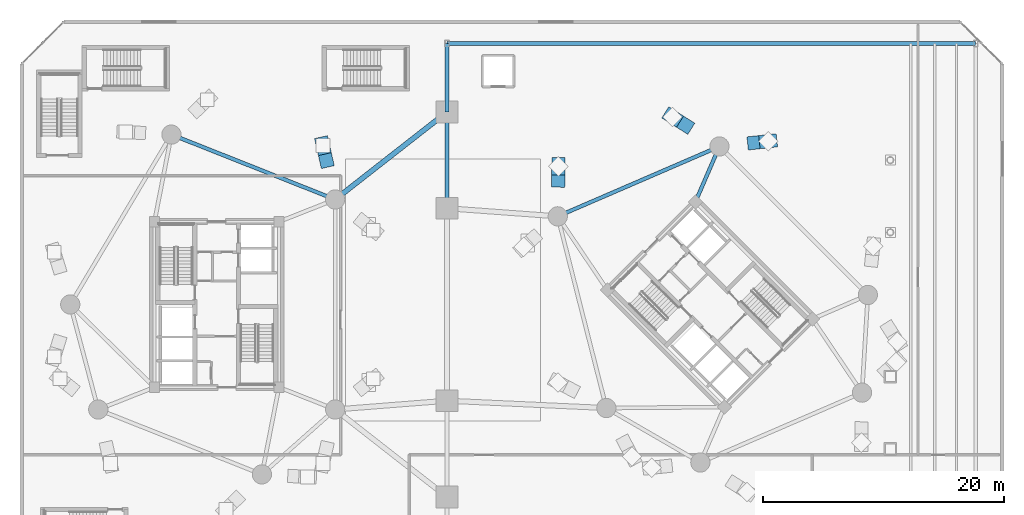
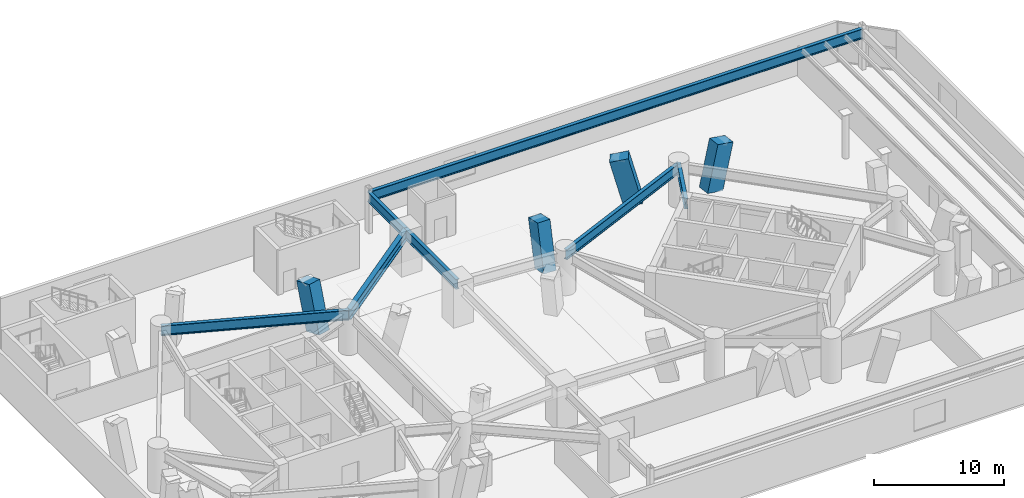
# One storey, part 6 of 20: 7 beams, 4 members.
"""IFC4 building model written with IfcOpenShell, lengths in metres."""

from ifc_helpers import new_model, si_unit, direction, frame, origin, origin_2d, place, context, subcontext, project, spatial, rectangle, i_section, extrude, material, material_profile, profile_set, type_object, element, save


model = new_model("IFC4")

# Units and contexts
model_context = context("Model", 3, precision=1e-05, world=origin(), true_north=direction((0.0, 1.0)))
body_context = subcontext(model_context, "Body", "Model", "MODEL_VIEW")
ifc_project = project(units=[si_unit("LENGTHUNIT", "METRE"), si_unit("AREAUNIT", "SQUARE_METRE"), si_unit("VOLUMEUNIT", "CUBIC_METRE"), si_unit("PLANEANGLEUNIT", "RADIAN"), si_unit("MASSUNIT", "GRAM", prefix="KILO")], contexts=[model_context])

# Site, building, storey
site_placement = place(None, origin())
site = spatial("IfcSite", under=ifc_project, at=site_placement, CompositionType="ELEMENT")
building_placement = place(site_placement, origin())
building = spatial("IfcBuilding", under=site, at=building_placement, Name="Cununo Teusaquillo Station Towers", CompositionType="ELEMENT")
storey_placement = place(building_placement, frame((0.0, 0.0, 13.199951171875)))
storey = spatial("IfcBuildingStorey", under=building, at=storey_placement, Name="L03", CompositionType="ELEMENT", Elevation=13.199951171875)

# Beams
ifc_material_1 = material(Name="Steel ASTM A572 Grade 50", Category="steel")
ifc_material_profile_1 = material_profile(ifc_material_1, i_section(OverallWidth=0.30810546875, OverallDepth=0.943115234375, WebThickness=0.022216796875, FlangeThickness=0.039794921875, FilletRadius=0.02392578125, at=origin_2d()), Name="W36X232")
ifc_profile_set_1 = profile_set([ifc_material_profile_1], Name="Steel ASTM A572 Grade 50")
beam_type_1 = type_object("IfcBeamType", Name="BM-POD-SEC", PredefinedType="BEAM", material=ifc_profile_set_1)
beam_1_placement = place(storey_placement, frame((26.347412109375, 33.228515625, 3.343505859375), z_axis=(-0.929621249939, 0.368516392664, 0.0), x_axis=(-0.368516392664, -0.929621249939, 0.0)))
element("IfcBeam", 1, at=beam_1_placement, inside=storey, type_object=beam_type_1, Name="L03 Tower A Podium Perimeter Girder 1", PredefinedType="BEAM", context=body_context, shape_type="SweptSolid", body=[
    extrude(i_section(OverallWidth=0.30810546875, OverallDepth=0.943115234375, WebThickness=0.022216796875, FlangeThickness=0.039794921875, FilletRadius=0.02392578125, at=origin_2d()), origin(), (0.0, 0.0, 1.0), 14.63916015625),
])
beam_2_placement = place(storey_placement, frame((58.291015625, 37.63525390625, 3.343505859375), z_axis=(-0.917915648818, -0.396775580971, 0.0), x_axis=(0.396775580971, -0.917915648818, 0.0)))
element("IfcBeam", 2, at=beam_2_placement, inside=storey, type_object=beam_type_1, Name="L03 Tower B Podium Perimeter Girder 1", PredefinedType="BEAM", context=body_context, shape_type="SweptSolid", body=[
    extrude(i_section(OverallWidth=0.30810546875, OverallDepth=0.943115234375, WebThickness=0.022216796875, FlangeThickness=0.039794921875, FilletRadius=0.02392578125, at=origin_2d()), origin(), (0.0, 0.0, 1.0), 14.638916015625),
])
beam_3_placement = place(storey_placement, frame((56.29443359375, 33.024169921875, 3.343505859375), z_axis=(0.397346986387, 0.917668443616, 0.0), x_axis=(-0.917668443616, 0.397346986387, 0.0)))
element("IfcBeam", 3, at=beam_3_placement, inside=storey, type_object=beam_type_1, Name="L03 Tower B Podium Radial Girder 1", PredefinedType="BEAM", context=body_context, shape_type="SweptSolid", body=[
    extrude(i_section(OverallWidth=0.30810546875, OverallDepth=0.943115234375, WebThickness=0.022216796875, FlangeThickness=0.039794921875, FilletRadius=0.02392578125, at=origin_2d()), origin(), (0.0, 0.0, 1.0), 5.02490234375),
])
beam_4_placement = place(storey_placement, frame((35.64990234375, 32.5, 3.343505859375), z_axis=(0.0, 1.0, 0.0), x_axis=(-1.0, 0.0, 0.0)))
element("IfcBeam", 4, at=beam_4_placement, inside=storey, type_object=beam_type_1, Name="L03 Station Podium Girder NS-3", PredefinedType="BEAM", context=body_context, shape_type="SweptSolid", body=[
    extrude(i_section(OverallWidth=0.30810546875, OverallDepth=0.943115234375, WebThickness=0.022216796875, FlangeThickness=0.039794921875, FilletRadius=0.02392578125, at=origin_2d()), origin(), (0.0, 0.0, 1.0), 8.0),
])
beam_5_placement = place(storey_placement, frame((35.64990234375, 40.5, 3.343505859375), z_axis=(0.0, 1.0, 0.0), x_axis=(-1.0, 0.0, 0.0)))
element("IfcBeam", 5, at=beam_5_placement, inside=storey, type_object=beam_type_1, Name="L03 Station Podium Girder NS-4", PredefinedType="BEAM", context=body_context, shape_type="SweptSolid", body=[
    extrude(i_section(OverallWidth=0.30810546875, OverallDepth=0.943115234375, WebThickness=0.022216796875, FlangeThickness=0.039794921875, FilletRadius=0.02392578125, at=origin_2d()), origin(), (0.0, 0.0, 1.0), 5.699951171875),
])
beam_6_placement = place(storey_placement, frame((35.64990234375, 46.199951171875, 3.343505859375), z_axis=(1.0, 0.0, 0.0), x_axis=(0.0, 1.0, 0.0)))
element("IfcBeam", 6, at=beam_6_placement, inside=storey, type_object=beam_type_1, Name="L03 Station Podium Girder CAN-N", PredefinedType="BEAM", context=body_context, shape_type="SweptSolid", body=[
    extrude(i_section(OverallWidth=0.30810546875, OverallDepth=0.943115234375, WebThickness=0.022216796875, FlangeThickness=0.039794921875, FilletRadius=0.02392578125, at=origin_2d()), origin(), (0.0, 0.0, 1.0), 43.9501953125),
])
ifc_material_2 = material(Name="Steel ASTM A572 Grade 50", Category="steel")
ifc_material_profile_2 = material_profile(ifc_material_2, i_section(OverallWidth=0.423095703125, OverallDepth=0.947998046875, WebThickness=0.02392578125, FlangeThickness=0.042724609375, FilletRadius=0.02392578125, at=origin_2d()), Name="W36X302")
ifc_profile_set_2 = profile_set([ifc_material_profile_2], Name="Steel ASTM A572 Grade 50")
beam_type_2 = type_object("IfcBeamType", Name="BM-POD-SPAN", PredefinedType="BEAM", material=ifc_profile_set_2)
beam_7_placement = place(storey_placement, frame((26.347412109375, 33.228515625, 3.341064453125), z_axis=(0.787863531103, 0.615849865112, 0.0), x_axis=(-0.615849865112, 0.787863531103, 0.0)))
element("IfcBeam", 7, at=beam_7_placement, inside=storey, type_object=beam_type_2, Name="L03 Station Podium Girder EW-N", PredefinedType="BEAM", context=body_context, shape_type="SweptSolid", body=[
    extrude(i_section(OverallWidth=0.423095703125, OverallDepth=0.947998046875, WebThickness=0.02392578125, FlangeThickness=0.042724609375, FilletRadius=0.02392578125, at=origin_2d()), origin(), (0.0, 0.0, 1.0), 11.80712890625),
])

# Members
ifc_material_3 = material(Name="Concrete C60/75", Category="concrete")
ifc_material_profile_3 = material_profile(ifc_material_3, rectangle(XDim=1.10009765625, YDim=1.5, at=origin_2d()), Name="RC-RECT-1500x1100")
ifc_profile_set_3 = profile_set([ifc_material_profile_3], Name="Concrete C60/75")
member_type = type_object("IfcMemberType", Name="MBR-VFOOT", PredefinedType="USERDEFINED", material=ifc_profile_set_3)
member_1_placement = place(storey_placement, frame((25.57763671875, 36.626953125, 0.0), z_axis=(-0.056372761122, 0.248928174485, 0.966879969671), x_axis=(-0.975303454617, -0.220869127338, 0.0)))
element("IfcMember", 8, at=member_1_placement, inside=storey, type_object=member_type, Name="L03 Tower A Sloping Concrete V-Foot V02R", ObjectType="V FOOT STRUT", PredefinedType="USERDEFINED", context=body_context, shape_type="SweptSolid", body=[
    extrude(rectangle(XDim=1.10009765625, YDim=1.5, at=origin_2d()), origin(), (0.0, 0.0, 1.0), 4.34375),
])
member_2_placement = place(storey_placement, frame((61.363525390625, 37.9658203125, 0.0), z_axis=(0.226623403117, 0.024394277408, 0.97367692403), x_axis=(-0.107024105803, 0.994256426068, 0.0)))
element("IfcMember", 9, at=member_2_placement, inside=storey, type_object=member_type, Name="L03 Tower B Sloping Concrete V-Foot V02L", ObjectType="V FOOT STRUT", PredefinedType="USERDEFINED", context=body_context, shape_type="SweptSolid", body=[
    extrude(rectangle(XDim=1.10009765625, YDim=1.5, at=origin_2d()), origin(), (0.0, 0.0, 1.0), 4.3134765625),
])
member_3_placement = place(storey_placement, frame((55.343994140625, 39.493896484375, 0.0), z_axis=(-0.215879398567, 0.136182187641, 0.966876671062), x_axis=(-0.533537258725, -0.845776562428, 0.0)))
element("IfcMember", 10, at=member_3_placement, inside=storey, type_object=member_type, Name="L03 Tower B Sloping Concrete V-Foot V02R", ObjectType="V FOOT STRUT", PredefinedType="USERDEFINED", context=body_context, shape_type="SweptSolid", body=[
    extrude(rectangle(XDim=1.10009765625, YDim=1.5, at=origin_2d()), origin(), (0.0, 0.0, 1.0), 4.34375),
])
member_4_placement = place(storey_placement, frame((44.893798828125, 34.978515625, 0.0), z_axis=(0.002940090479, 0.23221060763, 0.972661086696), x_axis=(-0.999919855251, 0.012660295221, 0.0)))
element("IfcMember", 11, at=member_4_placement, inside=storey, type_object=member_type, Name="L03 Tower B Sloping Concrete V-Foot V06L", ObjectType="V FOOT STRUT", PredefinedType="USERDEFINED", context=body_context, shape_type="SweptSolid", body=[
    extrude(rectangle(XDim=1.10009765625, YDim=1.5, at=origin_2d()), origin(), (0.0, 0.0, 1.0), 4.318115234375),
])

save(model, "model.ifc")
